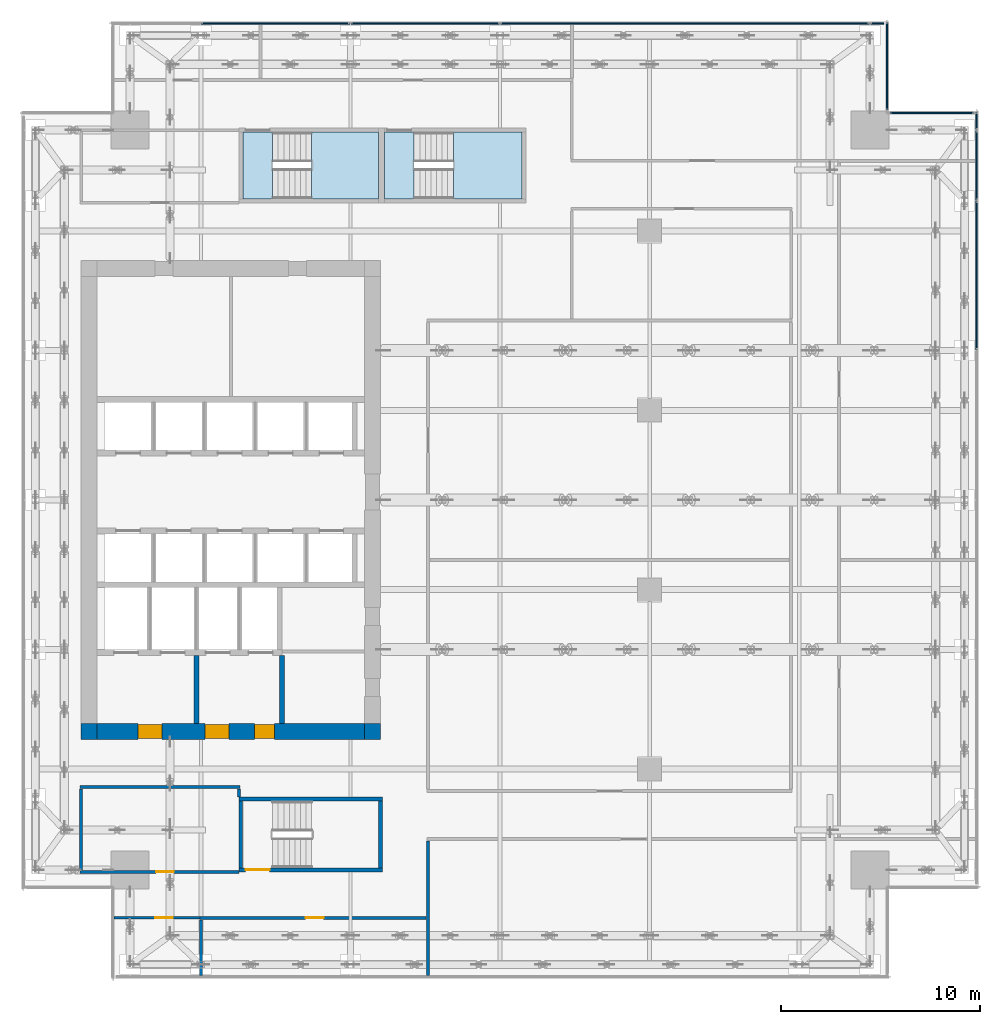
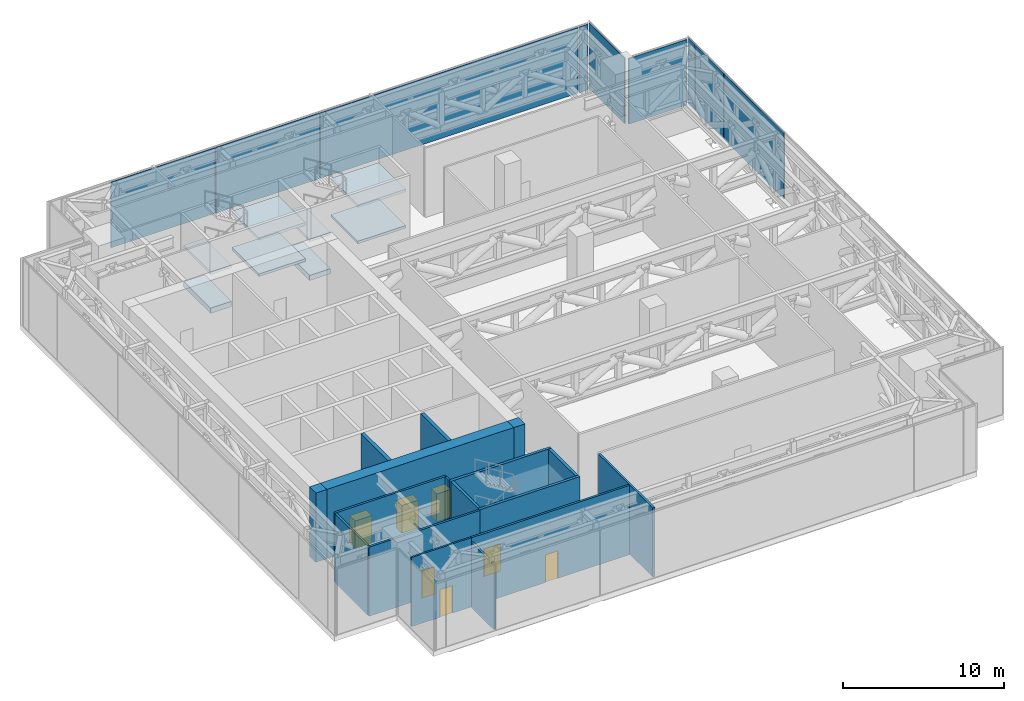
# One storey, part 28 of 36: 17 walls, 9 plates, 8 slabs, 7 doors, 7 openings, 6 elements without a shape of their own.
"""IFC4 building model written with IfcOpenShell, lengths in metres."""

from ifc_helpers import new_model, si_unit, direction, frame, frame_2d, origin, origin_2d, place, context, subcontext, project, spatial, polyline, rectangle, outline, extrude, source, transform, mapped, material, layer, layer_set, type_object, element, fill, aggregate, save


model = new_model("IFC4")

# Units and contexts
model_context = context("Model", 3, precision=1e-05, world=origin(), true_north=direction((0.0, 1.0)))
body_context = subcontext(model_context, "Body", "Model", "MODEL_VIEW")
ifc_project = project(units=[si_unit("LENGTHUNIT", "METRE"), si_unit("AREAUNIT", "SQUARE_METRE"), si_unit("VOLUMEUNIT", "CUBIC_METRE"), si_unit("PLANEANGLEUNIT", "RADIAN"), si_unit("MASSUNIT", "GRAM", prefix="KILO")], contexts=[model_context])

# Site, building, storey
site_placement = place(None, origin())
site = spatial("IfcSite", under=ifc_project, at=site_placement, CompositionType="ELEMENT")
building_placement = place(site_placement, origin())
building = spatial("IfcBuilding", under=site, at=building_placement, Name="Khomas Fold Tower", CompositionType="ELEMENT")
storey_placement = place(building_placement, frame((0.0, 0.0, 216.699951171875)))
storey = spatial("IfcBuildingStorey", under=building, at=storey_placement, Name="L48", CompositionType="ELEMENT", Elevation=216.699951171875)

# Curtain wall, plate
ifc_material_1 = material(Name="Aluminium framed double glazing", Category="aluminium")
curtain_wall_type = type_object("IfcCurtainWallType", Name="SK-Plant louvre wall CW4", PredefinedType="NOTDEFINED", material=ifc_material_1)
curtain_wall_1_placement = place(storey_placement, origin())
curtain_wall_1 = element("IfcCurtainWall", 1, at=curtain_wall_1_placement, inside=storey, type_object=curtain_wall_type, Name="CW4 run L48 03-0", PredefinedType="NOTDEFINED")
ifc_material_2 = material(Name="Aluminium louvre blades", Category="aluminium")
ifc_layer_1 = layer(ifc_material_2, 0.080078125)
ifc_layer_set_1 = layer_set([ifc_layer_1], Name="Aluminium louvre blades")
plate_type = type_object("IfcPlateType", Name="SK-Plant louvre wall louvre panel CW4-P", PredefinedType="CURTAIN_PANEL", material=ifc_layer_set_1)
shared_shape_1 = source(origin(), body_context, "Body", "SweptSolid", [
    extrude(rectangle(XDim=7.43994140625, YDim=0.080078125, at=origin_2d()), origin(), (0.0, 0.0, 1.0), 4.97998046875),
])
plate_1_placement = place(storey_placement, frame((50.89990234375, 38.25, 0.0), z_axis=(0.0, 0.0, 1.0), x_axis=(0.0, 1.0, 0.0)))
plate_1 = element("IfcPlate", 2, at=plate_1_placement, type_object=plate_type, Name="CW4 louvre panel 6", PredefinedType="CURTAIN_PANEL", context=body_context, shape_type="MappedRepresentation", body=[
    mapped(shared_shape_1, transform((0.0, 0.0, 0.0))),
])

# Curtain wall, plates
curtain_wall_2_placement = place(storey_placement, origin())
curtain_wall_2 = element("IfcCurtainWall", 3, at=curtain_wall_2_placement, inside=storey, type_object=curtain_wall_type, Name="CW4 run L48 06-0", PredefinedType="NOTDEFINED")
plate_2_placement = place(storey_placement, frame((23.25, 50.89990234375, 0.0), z_axis=(0.0, 0.0, 1.0), x_axis=(-1.0, 0.0, 0.0)))
plate_2 = element("IfcPlate", 4, at=plate_2_placement, type_object=plate_type, Name="CW4 louvre panel 3", PredefinedType="CURTAIN_PANEL", context=body_context, shape_type="MappedRepresentation", body=[
    mapped(shared_shape_1, transform((0.0, 0.0, 0.0))),
])
plate_3_placement = place(storey_placement, frame((15.75, 50.89990234375, 0.0), z_axis=(0.0, 0.0, 1.0), x_axis=(-1.0, 0.0, 0.0)))
plate_3 = element("IfcPlate", 5, at=plate_3_placement, type_object=plate_type, Name="CW4 louvre panel 4", PredefinedType="CURTAIN_PANEL", context=body_context, shape_type="MappedRepresentation", body=[
    mapped(shared_shape_1, transform((0.0, 0.0, 0.0))),
])
shared_shape_2 = source(origin(), body_context, "Body", "SweptSolid", [
    extrude(rectangle(XDim=0.659912109375, YDim=0.080078125, at=origin_2d()), origin(), (0.0, 0.0, 1.0), 4.97998046875),
])
plate_4_placement = place(storey_placement, frame((45.909912109375, 50.89990234375, 0.0), z_axis=(0.0, 0.0, 1.0), x_axis=(-1.0, 0.0, 0.0)))
plate_4 = element("IfcPlate", 6, at=plate_4_placement, type_object=plate_type, Name="CW4 louvre panel 1", PredefinedType="CURTAIN_PANEL", context=body_context, shape_type="MappedRepresentation", body=[
    mapped(shared_shape_2, transform((0.0, 0.0, 0.0))),
])

# Plate
shared_shape_3 = source(origin(), body_context, "Body", "SweptSolid", [
    extrude(rectangle(XDim=3.489990234375, YDim=0.080078125, at=origin_2d()), origin(), (0.0, 0.0, 1.0), 4.97998046875),
])
plate_5_placement = place(storey_placement, frame((50.89990234375, 43.77490234375, 0.0), z_axis=(0.0, 0.0, 1.0), x_axis=(0.0, 1.0, 0.0)))
plate_5 = element("IfcPlate", 7, at=plate_5_placement, type_object=plate_type, Name="CW4 louvre panel 7", PredefinedType="CURTAIN_PANEL", context=body_context, shape_type="MappedRepresentation", body=[
    mapped(shared_shape_3, transform((0.0, 0.0, 0.0))),
])

shared_shape_4 = source(origin(), body_context, "Body", "SweptSolid", [
    extrude(rectangle(XDim=0.860107421875, YDim=0.080078125, at=origin_2d()), origin(), (0.0, 0.0, 1.0), 4.97998046875),
])
plate_6_placement = place(storey_placement, frame((50.89990234375, 46.010009765625, 0.0), z_axis=(0.0, 0.0, 1.0), x_axis=(0.0, 1.0, 0.0)))
plate_6 = element("IfcPlate", 8, at=plate_6_placement, type_object=plate_type, Name="CW4 louvre panel 8", PredefinedType="CURTAIN_PANEL", context=body_context, shape_type="MappedRepresentation", body=[
    mapped(shared_shape_4, transform((0.0, 0.0, 0.0))),
])

aggregate(curtain_wall_1, [plate_1, plate_5, plate_6])

# Curtain wall, plate
curtain_wall_3_placement = place(storey_placement, origin())
curtain_wall_3 = element("IfcCurtainWall", 9, at=curtain_wall_3_placement, inside=storey, type_object=curtain_wall_type, Name="CW4 corner return L48 04", PredefinedType="NOTDEFINED")
shared_shape_5 = source(origin(), body_context, "Body", "SweptSolid", [
    extrude(rectangle(XDim=4.179931640625, YDim=0.080078125, at=origin_2d()), origin(), (0.0, 0.0, 1.0), 4.97998046875),
])
plate_7_placement = place(storey_placement, frame((48.64990234375, 46.39990234375, 0.0), z_axis=(0.0, 0.0, 1.0), x_axis=(-1.0, 0.0, 0.0)))
plate_7 = element("IfcPlate", 10, at=plate_7_placement, type_object=plate_type, Name="CW4 louvre panel 1", PredefinedType="CURTAIN_PANEL", context=body_context, shape_type="MappedRepresentation", body=[
    mapped(shared_shape_5, transform((0.0, 0.0, 0.0))),
])
aggregate(curtain_wall_3, [plate_7])

curtain_wall_4_placement = place(storey_placement, origin())
curtain_wall_4 = element("IfcCurtainWall", 11, at=curtain_wall_4_placement, inside=storey, type_object=curtain_wall_type, Name="CW4 corner return L48 05", PredefinedType="NOTDEFINED")
shared_shape_6 = source(origin(), body_context, "Body", "SweptSolid", [
    extrude(rectangle(XDim=4.3798828125, YDim=0.080078125, at=origin_2d()), origin(), (0.0, 0.0, 1.0), 4.97998046875),
])
plate_8_placement = place(storey_placement, frame((46.39990234375, 48.75, 0.0), z_axis=(0.0, 0.0, 1.0), x_axis=(0.0, 1.0, 0.0)))
plate_8 = element("IfcPlate", 12, at=plate_8_placement, type_object=plate_type, Name="CW4 louvre panel 1", PredefinedType="CURTAIN_PANEL", context=body_context, shape_type="MappedRepresentation", body=[
    mapped(shared_shape_6, transform((0.0, 0.0, 0.0))),
])
aggregate(curtain_wall_4, [plate_8])

# Plate
shared_shape_7 = source(origin(), body_context, "Body", "SweptSolid", [
    extrude(rectangle(XDim=18.489990234375, YDim=0.080078125, at=origin_2d()), origin(), (0.0, 0.0, 1.0), 4.97998046875),
])
plate_9_placement = place(storey_placement, frame((36.27490234375, 50.89990234375, 0.0), z_axis=(0.0, 0.0, 1.0), x_axis=(-1.0, 0.0, 0.0)))
plate_9 = element("IfcPlate", 13, at=plate_9_placement, type_object=plate_type, Name="CW4 louvre panel 2", PredefinedType="CURTAIN_PANEL", context=body_context, shape_type="MappedRepresentation", body=[
    mapped(shared_shape_7, transform((0.0, 0.0, 0.0))),
])

aggregate(curtain_wall_2, [plate_4, plate_9, plate_2, plate_3])

# Stair, slabs
ifc_material_3 = material(Name="Concrete C40/50", Category="concrete")
stair_type_1 = type_object("IfcStairType", Name="Stair ST1", PredefinedType="HALF_TURN_STAIR", material=ifc_material_3)
stair_1_placement = place(storey_placement, origin())
stair_1 = element("IfcStair", 14, at=stair_1_placement, inside=storey, type_object=stair_type_1, Name="L48 ST1", PredefinedType="HALF_TURN_STAIR")
ifc_material_4 = material(Name="Concrete C40/50", Category="concrete")
ifc_layer_2 = layer(ifc_material_4, 0.199951171875)
ifc_layer_set_2 = layer_set([ifc_layer_2], Name="Concrete C40/50")
slab_type_1 = type_object("IfcSlabType", Name="Stair landing 200", PredefinedType="LANDING", material=ifc_layer_set_2)
shared_shape_8 = source(origin(), body_context, "Body", "SweptSolid", [
    extrude(outline(polyline([(14.10009765625, 42.10009765625), (15.60009765625, 42.10009765625), (15.60009765625, 45.449951171875), (14.10009765625, 45.449951171875), (14.10009765625, 42.10009765625)])), origin(), (0.0, 0.0, 1.0), 0.199951171875),
])
slab_1_placement = place(storey_placement, frame((0.0, 0.0, 2.550048828125)))
slab_1 = element("IfcSlab", 15, at=slab_1_placement, type_object=slab_type_1, Name="ST1 landing 2", PredefinedType="LANDING", context=body_context, shape_type="MappedRepresentation", body=[
    mapped(shared_shape_8, transform((0.0, 0.0, 0.0))),
])
shared_shape_9 = source(origin(), body_context, "Body", "SweptSolid", [
    extrude(outline(polyline([(17.56005859375, 42.10009765625), (20.89990234375, 42.10009765625), (20.89990234375, 45.449951171875), (17.56005859375, 45.449951171875), (17.56005859375, 42.10009765625)])), origin(), (0.0, 0.0, 1.0), 0.199951171875),
])
slab_2_placement = place(storey_placement, frame((0.0, 0.0, 1.175048828125)))
slab_2 = element("IfcSlab", 16, at=slab_2_placement, type_object=slab_type_1, Name="ST1 landing 1", PredefinedType="LANDING", context=body_context, shape_type="MappedRepresentation", body=[
    mapped(shared_shape_9, transform((0.0, 0.0, 0.0))),
])
slab_3_placement = place(storey_placement, frame((0.0, 0.0, 3.925048828125)))
slab_3 = element("IfcSlab", 17, at=slab_3_placement, type_object=slab_type_1, Name="ST1 landing 3", PredefinedType="LANDING", context=body_context, shape_type="MappedRepresentation", body=[
    mapped(shared_shape_9, transform((0.0, 0.0, 0.0))),
])
aggregate(stair_1, [slab_2, slab_1, slab_3])

# Slab
ifc_material_5 = material(Name="Concrete C40/50", Category="concrete")
ifc_layer_3 = layer(ifc_material_5, 0.39990234375)
ifc_layer_set_3 = layer_set([ifc_layer_3], Name="Concrete C40/50")
slab_type_2 = type_object("IfcSlabType", Name="Stair floor landing 400", PredefinedType="LANDING", material=ifc_layer_set_3)
shared_shape_10 = source(origin(), body_context, "Body", "SweptSolid", [
    extrude(outline(polyline([(14.10009765625, 45.449951171875), (15.60009765625, 45.449951171875), (15.60009765625, 42.10009765625), (14.10009765625, 42.10009765625), (14.10009765625, 45.449951171875)])), origin(), (0.0, 0.0, 1.0), 0.39990234375),
])
slab_4_placement = place(storey_placement, frame((0.0, 0.0, -0.39990234375)))
element("IfcSlab", 18, at=slab_4_placement, inside=storey, type_object=slab_type_2, Name="ST1 floor landing", PredefinedType="LANDING", context=body_context, shape_type="MappedRepresentation", body=[
    mapped(shared_shape_10, transform((0.0, 0.0, 0.0))),
])

# Stair, slabs
ifc_material_6 = material(Name="Concrete C40/50", Category="concrete")
stair_type_2 = type_object("IfcStairType", Name="Stair ST3", PredefinedType="HALF_TURN_STAIR", material=ifc_material_6)
stair_2_placement = place(storey_placement, origin())
stair_2 = element("IfcStair", 19, at=stair_2_placement, inside=storey, type_object=stair_type_2, Name="L48 ST3", PredefinedType="HALF_TURN_STAIR")
shared_shape_11 = source(origin(), body_context, "Body", "SweptSolid", [
    extrude(outline(polyline([(21.199951171875, 42.10009765625), (22.699951171875, 42.10009765625), (22.699951171875, 45.449951171875), (21.199951171875, 45.449951171875), (21.199951171875, 42.10009765625)])), origin(), (0.0, 0.0, 1.0), 0.199951171875),
])
slab_5_placement = place(storey_placement, frame((0.0, 0.0, 2.550048828125)))
slab_5 = element("IfcSlab", 20, at=slab_5_placement, type_object=slab_type_1, Name="ST3 landing 2", PredefinedType="LANDING", context=body_context, shape_type="MappedRepresentation", body=[
    mapped(shared_shape_11, transform((0.0, 0.0, 0.0))),
])
shared_shape_12 = source(origin(), body_context, "Body", "SweptSolid", [
    extrude(outline(polyline([(24.659912109375, 42.10009765625), (28.10009765625, 42.10009765625), (28.10009765625, 45.449951171875), (24.659912109375, 45.449951171875), (24.659912109375, 42.10009765625)])), origin(), (0.0, 0.0, 1.0), 0.199951171875),
])
slab_6_placement = place(storey_placement, frame((0.0, 0.0, 1.175048828125)))
slab_6 = element("IfcSlab", 21, at=slab_6_placement, type_object=slab_type_1, Name="ST3 landing 1", PredefinedType="LANDING", context=body_context, shape_type="MappedRepresentation", body=[
    mapped(shared_shape_12, transform((0.0, 0.0, 0.0))),
])
slab_7_placement = place(storey_placement, frame((0.0, 0.0, 3.925048828125)))
slab_7 = element("IfcSlab", 22, at=slab_7_placement, type_object=slab_type_1, Name="ST3 landing 3", PredefinedType="LANDING", context=body_context, shape_type="MappedRepresentation", body=[
    mapped(shared_shape_12, transform((0.0, 0.0, 0.0))),
])
aggregate(stair_2, [slab_6, slab_5, slab_7])

# Slab
shared_shape_13 = source(origin(), body_context, "Body", "SweptSolid", [
    extrude(outline(polyline([(21.199951171875, 45.449951171875), (22.699951171875, 45.449951171875), (22.699951171875, 42.10009765625), (21.199951171875, 42.10009765625), (21.199951171875, 45.449951171875)])), origin(), (0.0, 0.0, 1.0), 0.39990234375),
])
slab_8_placement = place(storey_placement, frame((0.0, 0.0, -0.39990234375)))
element("IfcSlab", 23, at=slab_8_placement, inside=storey, type_object=slab_type_2, Name="ST3 floor landing", PredefinedType="LANDING", context=body_context, shape_type="MappedRepresentation", body=[
    mapped(shared_shape_13, transform((0.0, 0.0, 0.0))),
])

# Wall, openings, doors
ifc_material_7 = material(Name="Concrete C60/75", Category="concrete")
ifc_layer_4 = layer(ifc_material_7, 0.800048828125)
ifc_layer_set_4 = layer_set([ifc_layer_4], Name="Concrete C60/75")
wall_type_1 = type_object("IfcWallType", Name="Core wall 800", PredefinedType="SHEAR", material=ifc_layer_set_4)
shared_shape_14 = source(origin(), body_context, "Body", "SweptSolid", [
    extrude(rectangle(XDim=13.39990234375, YDim=0.800048828125, at=frame_2d((6.699951171875, 0.0))), origin(), (0.0, 0.0, 1.0), 5.25),
])
wall_1_placement = place(storey_placement, frame((6.800048828125, 15.39990234375, 0.0), z_axis=(0.0, 0.0, 1.0), x_axis=(1.0, 0.0, 0.0)))
wall_1 = element("IfcWall", 24, at=wall_1_placement, inside=storey, type_object=wall_type_1, Name="Core wall CW-U-S-L35", PredefinedType="SHEAR", context=body_context, shape_type="MappedRepresentation", body=[
    mapped(shared_shape_14, transform((0.0, 0.0, 0.0))),
])
shared_shape_15 = source(origin(), body_context, "Body", "SweptSolid", [
    extrude(rectangle(XDim=1.199951171875, YDim=2.10009765625, at=frame_2d((0.60009765625, 1.050048828125))), frame((0.0, 0.409912109375, 0.0), z_axis=(0.0, -1.0, 0.0), x_axis=(1.0, 0.0, 0.0)), (0.0, 0.0, 1.0), 0.820068359375),
])
opening_1_placement = place(wall_1_placement, frame((5.39990234375, 0.0, 0.0)))
opening_1 = element("IfcOpeningElement", 25, at=opening_1_placement, cuts=wall_1, Name="Opening 0009", PredefinedType="OPENING", context=body_context, shape_type="MappedRepresentation", body=[
    mapped(shared_shape_15, transform((0.0, 0.0, 0.0))),
])
opening_2_placement = place(wall_1_placement, frame((2.050048828125, 0.0, 0.0)))
opening_2 = element("IfcOpeningElement", 26, at=opening_2_placement, cuts=wall_1, Name="Opening 0009", PredefinedType="OPENING", context=body_context, shape_type="MappedRepresentation", body=[
    mapped(shared_shape_15, transform((0.0, 0.0, 0.0))),
])
shared_shape_16 = source(origin(), body_context, "Body", "SweptSolid", [
    extrude(rectangle(XDim=1.0, YDim=2.10009765625, at=frame_2d((0.5, 1.050048828125))), frame((0.0, 0.409912109375, 0.0), z_axis=(0.0, -1.0, 0.0), x_axis=(1.0, 0.0, 0.0)), (0.0, 0.0, 1.0), 0.820068359375),
])
opening_3_placement = place(wall_1_placement, frame((7.89990234375, 0.0, 0.0)))
opening_3 = element("IfcOpeningElement", 27, at=opening_3_placement, cuts=wall_1, Name="Opening 0010", PredefinedType="OPENING", context=body_context, shape_type="MappedRepresentation", body=[
    mapped(shared_shape_16, transform((0.0, 0.0, 0.0))),
])
ifc_material_8 = material(Name="Steel door leaf", Category="steel")
door_type_1 = type_object("IfcDoorType", Name="Lobby door 1200x2100 right-hand", OperationType="SINGLE_SWING_RIGHT", PredefinedType="DOOR", material=ifc_material_8)
shared_shape_17 = source(origin(), body_context, "Body", "SweptSolid", [
    extrude(rectangle(XDim=1.199951171875, YDim=2.10009765625, at=frame_2d((0.60009765625, 1.050048828125))), frame((0.0, 0.35009765625, 0.0), z_axis=(0.0, -1.0, 0.0), x_axis=(1.0, 0.0, 0.0)), (0.0, 0.0, 1.0), 0.699951171875),
])
door_1_placement = place(opening_1_placement, origin())
door_1 = element("IfcDoor", 28, at=door_1_placement, inside=storey, type_object=door_type_1, Name="Lobby door", OperationType="SINGLE_SWING_RIGHT", OverallHeight=2.10009765625, OverallWidth=1.199951171875, PredefinedType="DOOR", context=body_context, shape_type="MappedRepresentation", body=[
    mapped(shared_shape_17, transform((0.0, 0.0, 0.0))),
])
fill(opening_1, door_1)
door_2_placement = place(opening_2_placement, origin())
door_2 = element("IfcDoor", 29, at=door_2_placement, inside=storey, type_object=door_type_1, Name="Lobby door", OperationType="SINGLE_SWING_RIGHT", OverallHeight=2.10009765625, OverallWidth=1.199951171875, PredefinedType="DOOR", context=body_context, shape_type="MappedRepresentation", body=[
    mapped(shared_shape_17, transform((0.0, 0.0, 0.0))),
])
fill(opening_2, door_2)
ifc_material_9 = material(Name="Steel door leaf", Category="steel")
door_type_2 = type_object("IfcDoorType", Name="Stair door 1000x2100 right-hand", OperationType="SINGLE_SWING_RIGHT", PredefinedType="DOOR", material=ifc_material_9)
shared_shape_18 = source(origin(), body_context, "Body", "SweptSolid", [
    extrude(rectangle(XDim=1.0, YDim=2.10009765625, at=frame_2d((0.5, 1.050048828125))), frame((0.0, 0.35009765625, 0.0), z_axis=(0.0, -1.0, 0.0), x_axis=(1.0, 0.0, 0.0)), (0.0, 0.0, 1.0), 0.699951171875),
])
door_3_placement = place(opening_3_placement, origin())
door_3 = element("IfcDoor", 30, at=door_3_placement, inside=storey, type_object=door_type_2, Name="Stair door", OperationType="SINGLE_SWING_RIGHT", OverallHeight=2.10009765625, OverallWidth=1.0, PredefinedType="DOOR", context=body_context, shape_type="MappedRepresentation", body=[
    mapped(shared_shape_18, transform((0.0, 0.0, 0.0))),
])
fill(opening_3, door_3)

# Walls
ifc_material_10 = material(Name="Concrete C60/75", Category="concrete")
ifc_layer_5 = layer(ifc_material_10, 0.800048828125)
ifc_layer_set_5 = layer_set([ifc_layer_5], Name="Concrete C60/75")
wall_type_2 = type_object("IfcWallType", Name="Core corner wall 800", PredefinedType="SHEAR", material=ifc_layer_set_5)
shared_shape_19 = source(origin(), body_context, "Body", "SweptSolid", [
    extrude(rectangle(XDim=0.800048828125, YDim=0.800048828125, at=frame_2d((0.39990234375, 0.0))), origin(), (0.0, 0.0, 1.0), 5.25),
])
for number, where, z_axis, x_axis, name in (
    (31, (20.199951171875, 15.39990234375, 0.0), (0.0, 0.0, 1.0), (1.0, 0.0, 0.0), "Core wall CW-U-SE-L35"),
    (32, (6.0, 15.39990234375, 0.0), (0.0, 0.0, 1.0), (1.0, 0.0, 0.0), "Core wall CW-U-SW-L35"),
):
    element("IfcWall", number, at=place(storey_placement, frame(where, z_axis=z_axis, x_axis=x_axis)), inside=storey, type_object=wall_type_2, Name=name, PredefinedType="SHEAR", context=body_context, shape_type="MappedRepresentation", body=[
        mapped(shared_shape_19, transform((0.0, 0.0, 0.0))),
    ])
ifc_material_11 = material(Name="Concrete C50/60", Category="concrete")
ifc_layer_6 = layer(ifc_material_11, 0.199951171875)
ifc_layer_set_6 = layer_set([ifc_layer_6], Name="Concrete C50/60")
wall_type_3 = type_object("IfcWallType", Name="Stair wall 200", PredefinedType="SHEAR", material=ifc_layer_set_6)
shared_shape_20 = source(origin(), body_context, "Body", "SweptSolid", [
    extrude(rectangle(XDim=7.2001953125, YDim=0.199951171875, at=frame_2d((3.60009765625, 0.0))), origin(), (0.0, 0.0, 1.0), 5.25),
])
wall_2_placement = place(storey_placement, frame((13.89990234375, 12.0, 0.0), z_axis=(0.0, 0.0, 1.0), x_axis=(1.0, 0.0, 0.0)))
element("IfcWall", 33, at=wall_2_placement, inside=storey, type_object=wall_type_3, Name="Stair wall SW-ST2-NH", PredefinedType="SHEAR", context=body_context, shape_type="MappedRepresentation", body=[
    mapped(shared_shape_20, transform((0.0, 0.0, 0.0))),
])

# Wall, opening, door
wall_3_placement = place(storey_placement, frame((13.89990234375, 8.449951171875, 0.0), z_axis=(0.0, 0.0, 1.0), x_axis=(1.0, 0.0, 0.0)))
wall_3 = element("IfcWall", 34, at=wall_3_placement, inside=storey, type_object=wall_type_3, Name="Stair wall SW-ST2-S", PredefinedType="SHEAR", context=body_context, shape_type="MappedRepresentation", body=[
    mapped(shared_shape_20, transform((0.0, 0.0, 0.0))),
])
shared_shape_21 = source(origin(), body_context, "Body", "SweptSolid", [
    extrude(rectangle(XDim=1.199951171875, YDim=2.10009765625, at=frame_2d((0.60009765625, 1.050048828125))), frame((0.0, 0.10986328125, 0.0), z_axis=(0.0, -1.0, 0.0), x_axis=(1.0, 0.0, 0.0)), (0.0, 0.0, 1.0), 0.219970703125),
])
opening_4_placement = place(wall_3_placement, frame((0.35009765625, 0.0, 0.0)))
opening_4 = element("IfcOpeningElement", 35, at=opening_4_placement, cuts=wall_3, Name="Opening SD-ST2", PredefinedType="OPENING", context=body_context, shape_type="MappedRepresentation", body=[
    mapped(shared_shape_21, transform((0.0, 0.0, 0.0))),
])
ifc_material_12 = material(Name="Steel door leaf", Category="steel")
door_type_3 = type_object("IfcDoorType", Name="Stair door 1200x2100 right-hand", OperationType="SINGLE_SWING_RIGHT", PredefinedType="DOOR", material=ifc_material_12)
shared_shape_22 = source(origin(), body_context, "Body", "SweptSolid", [
    extrude(rectangle(XDim=1.199951171875, YDim=2.10009765625, at=frame_2d((0.60009765625, 1.050048828125))), frame((0.0, 0.02490234375, 0.0), z_axis=(0.0, -1.0, 0.0), x_axis=(1.0, 0.0, 0.0)), (0.0, 0.0, 1.0), 0.050048828125),
])
door_4_placement = place(opening_4_placement, origin())
door_4 = element("IfcDoor", 36, at=door_4_placement, inside=storey, type_object=door_type_3, Name="Stair door", OperationType="SINGLE_SWING_RIGHT", OverallHeight=2.10009765625, OverallWidth=1.199951171875, PredefinedType="DOOR", context=body_context, shape_type="MappedRepresentation", body=[
    mapped(shared_shape_22, transform((0.0, 0.0, 0.0))),
])
fill(opening_4, door_4)

# Walls
shared_shape_23 = source(origin(), body_context, "Body", "SweptSolid", [
    extrude(rectangle(XDim=3.349853515625, YDim=0.199951171875, at=frame_2d((1.6748046875, 0.0))), origin(), (0.0, 0.0, 1.0), 5.25),
])
for number, where, z_axis, x_axis, name in (
    (37, (21.0, 8.550048828125, 0.0), (0.0, 0.0, 1.0), (0.0, 1.0, 0.0), "Stair wall SW-ST2-E"),
    (38, (14.0, 8.550048828125, 0.0), (0.0, 0.0, 1.0), (0.0, 1.0, 0.0), "Stair wall SW-ST2-W"),
):
    element("IfcWall", number, at=place(storey_placement, frame(where, z_axis=z_axis, x_axis=x_axis)), inside=storey, type_object=wall_type_3, Name=name, PredefinedType="SHEAR", context=body_context, shape_type="MappedRepresentation", body=[
        mapped(shared_shape_23, transform((0.0, 0.0, 0.0))),
    ])
ifc_material_13 = material(Name="Concrete C50/60", Category="concrete")
ifc_layer_7 = layer(ifc_material_13, 0.25)
ifc_layer_set_7 = layer_set([ifc_layer_7], Name="Concrete C50/60")
wall_type_4 = type_object("IfcWallType", Name="Lobby wall 250", PredefinedType="STANDARD", material=ifc_layer_set_7)
shared_shape_24 = source(origin(), body_context, "Body", "SweptSolid", [
    extrude(rectangle(XDim=3.39990234375, YDim=0.25, at=frame_2d((1.699951171875, 0.0))), origin(), (0.0, 0.0, 1.0), 5.25),
])
for number, where, z_axis, x_axis, name in (
    (39, (16.074951171875, 15.800048828125, 0.0), (0.0, 0.0, 1.0), (0.0, 1.0, 0.0), "Core wall SW-FS-LOB-E"),
    (40, (11.77490234375, 15.800048828125, 0.0), (0.0, 0.0, 1.0), (0.0, 1.0, 0.0), "Core wall SW-FS-SEP"),
):
    element("IfcWall", number, at=place(storey_placement, frame(where, z_axis=z_axis, x_axis=x_axis)), inside=storey, type_object=wall_type_4, Name=name, PredefinedType="STANDARD", context=body_context, shape_type="MappedRepresentation", body=[
        mapped(shared_shape_24, transform((0.0, 0.0, 0.0))),
    ])
ifc_material_14 = material(Name="Plasterboard fire partition")
ifc_layer_8 = layer(ifc_material_14, 0.14990234375)
ifc_layer_set_8 = layer_set([ifc_layer_8], Name="Plasterboard fire partition")
wall_type_5 = type_object("IfcWallType", Name="Plant room wall PW3 150", PredefinedType="PARTITIONING", material=ifc_layer_set_8)
shared_shape_25 = source(origin(), body_context, "Body", "SweptSolid", [
    extrude(rectangle(XDim=2.800048828125, YDim=0.14990234375, at=frame_2d((1.39990234375, 0.0))), origin(), (0.0, 0.0, 1.0), 4.920166015625),
])
wall_4_placement = place(storey_placement, frame((12.0, 3.14990234375, 0.0), z_axis=(0.0, 0.0, 1.0), x_axis=(0.0, 1.0, 0.0)))
element("IfcWall", 41, at=wall_4_placement, inside=storey, type_object=wall_type_5, Name="Plant room wall", PredefinedType="PARTITIONING", context=body_context, shape_type="MappedRepresentation", body=[
    mapped(shared_shape_25, transform((0.0, 0.0, 0.0))),
])
shared_shape_26 = source(origin(), body_context, "Body", "SweptSolid", [
    extrude(rectangle(XDim=6.75, YDim=0.14990234375, at=frame_2d((3.375, 0.0))), origin(), (0.0, 0.0, 1.0), 5.25),
])
wall_5_placement = place(storey_placement, frame((23.39990234375, 3.14990234375, 0.0), z_axis=(0.0, 0.0, 1.0), x_axis=(0.0, 1.0, 0.0)))
element("IfcWall", 42, at=wall_5_placement, inside=storey, type_object=wall_type_5, Name="Plant room wall", PredefinedType="PARTITIONING", context=body_context, shape_type="MappedRepresentation", body=[
    mapped(shared_shape_26, transform((0.0, 0.0, 0.0))),
])

# Wall, opening, door
ifc_material_15 = material(Name="Plasterboard partition")
ifc_layer_9 = layer(ifc_material_15, 0.125)
ifc_layer_set_9 = layer_set([ifc_layer_9], Name="Plasterboard partition")
wall_type_6 = type_object("IfcWallType", Name="Partition PW2 125", PredefinedType="PARTITIONING", material=ifc_layer_set_9)
shared_shape_27 = source(origin(), body_context, "Body", "SweptSolid", [
    extrude(rectangle(XDim=4.300048828125, YDim=0.125, at=frame_2d((2.14990234375, 0.0))), origin(), (0.0, 0.0, 1.0), 5.25),
])
wall_6_placement = place(storey_placement, frame((7.64990234375, 6.050048828125, 0.0), z_axis=(0.0, 0.0, 1.0), x_axis=(1.0, 0.0, 0.0)))
wall_6 = element("IfcWall", 43, at=wall_6_placement, inside=storey, type_object=wall_type_6, Name="Partition", PredefinedType="PARTITIONING", context=body_context, shape_type="MappedRepresentation", body=[
    mapped(shared_shape_27, transform((0.0, 0.0, 0.0))),
])
shared_shape_28 = source(origin(), body_context, "Body", "SweptSolid", [
    extrude(rectangle(XDim=0.89990234375, YDim=2.10009765625, at=frame_2d((0.449951171875, 1.050048828125))), frame((0.0, 0.072509765625, 0.0), z_axis=(0.0, -1.0, 0.0), x_axis=(1.0, 0.0, 0.0)), (0.0, 0.0, 1.0), 0.14501953125),
])
opening_5_placement = place(wall_6_placement, frame((2.050048828125, 0.0, 0.0)))
opening_5 = element("IfcOpeningElement", 44, at=opening_5_placement, cuts=wall_6, Name="Opening 0008", PredefinedType="OPENING", context=body_context, shape_type="MappedRepresentation", body=[
    mapped(shared_shape_28, transform((0.0, 0.0, 0.0))),
])
ifc_material_16 = material(Name="Timber door leaf", Category="wood")
door_type_4 = type_object("IfcDoorType", Name="Door 900x2100 right-hand", OperationType="SINGLE_SWING_RIGHT", PredefinedType="DOOR", material=ifc_material_16)
shared_shape_29 = source(origin(), body_context, "Body", "SweptSolid", [
    extrude(rectangle(XDim=0.89990234375, YDim=2.10009765625, at=frame_2d((0.449951171875, 1.050048828125))), frame((0.0, 0.02490234375, 0.0), z_axis=(0.0, -1.0, 0.0), x_axis=(1.0, 0.0, 0.0)), (0.0, 0.0, 1.0), 0.050048828125),
])
door_5_placement = place(opening_5_placement, origin())
door_5 = element("IfcDoor", 45, at=door_5_placement, inside=storey, type_object=door_type_4, Name="Door", OperationType="SINGLE_SWING_RIGHT", OverallHeight=2.10009765625, OverallWidth=0.89990234375, PredefinedType="DOOR", context=body_context, shape_type="MappedRepresentation", body=[
    mapped(shared_shape_29, transform((0.0, 0.0, 0.0))),
])
fill(opening_5, door_5)

shared_shape_30 = source(origin(), body_context, "Body", "SweptSolid", [
    extrude(rectangle(XDim=11.35009765625, YDim=0.14990234375, at=frame_2d((5.675048828125, 0.0))), origin(), (0.0, 0.0, 1.0), 5.25),
])
wall_7_placement = place(storey_placement, frame((11.949951171875, 6.050048828125, 0.0), z_axis=(0.0, 0.0, 1.0), x_axis=(1.0, 0.0, 0.0)))
wall_7 = element("IfcWall", 46, at=wall_7_placement, inside=storey, type_object=wall_type_5, Name="Plant room wall", PredefinedType="PARTITIONING", context=body_context, shape_type="MappedRepresentation", body=[
    mapped(shared_shape_30, transform((0.0, 0.0, 0.0))),
])
shared_shape_31 = source(origin(), body_context, "Body", "SweptSolid", [
    extrude(rectangle(XDim=0.89990234375, YDim=2.10009765625, at=frame_2d((0.449951171875, 1.050048828125))), frame((0.0, 0.0849609375, 0.0), z_axis=(0.0, -1.0, 0.0), x_axis=(1.0, 0.0, 0.0)), (0.0, 0.0, 1.0), 0.169921875),
])
opening_6_placement = place(wall_7_placement, frame((5.300048828125, 0.0, 0.0)))
opening_6 = element("IfcOpeningElement", 47, at=opening_6_placement, cuts=wall_7, Name="Opening 0003", PredefinedType="OPENING", context=body_context, shape_type="MappedRepresentation", body=[
    mapped(shared_shape_31, transform((0.0, 0.0, 0.0))),
])
ifc_material_17 = material(Name="Steel door leaf", Category="steel")
door_type_5 = type_object("IfcDoorType", Name="Plant room door 900x2100 right-hand", OperationType="SINGLE_SWING_RIGHT", PredefinedType="DOOR", material=ifc_material_17)
door_6_placement = place(opening_6_placement, origin())
door_6 = element("IfcDoor", 48, at=door_6_placement, inside=storey, type_object=door_type_5, Name="Plant room door", OperationType="SINGLE_SWING_RIGHT", OverallHeight=2.10009765625, OverallWidth=0.89990234375, PredefinedType="DOOR", context=body_context, shape_type="MappedRepresentation", body=[
    mapped(shared_shape_29, transform((0.0, 0.0, 0.0))),
])
fill(opening_6, door_6)

shared_shape_32 = source(origin(), body_context, "Body", "SweptSolid", [
    extrude(rectangle(XDim=7.949951171875, YDim=0.14990234375, at=frame_2d((3.97509765625, 0.0))), origin(), (0.0, 0.0, 1.0), 5.25),
])
wall_8_placement = place(storey_placement, frame((5.949951171875, 8.35009765625, 0.0), z_axis=(0.0, 0.0, 1.0), x_axis=(1.0, 0.0, 0.0)))
wall_8 = element("IfcWall", 49, at=wall_8_placement, inside=storey, type_object=wall_type_5, Name="Plant room wall", PredefinedType="PARTITIONING", context=body_context, shape_type="MappedRepresentation", body=[
    mapped(shared_shape_32, transform((0.0, 0.0, 0.0))),
])
opening_7_placement = place(wall_8_placement, frame((3.800048828125, 0.0, 0.0)))
opening_7 = element("IfcOpeningElement", 50, at=opening_7_placement, cuts=wall_8, Name="Opening 0002", PredefinedType="OPENING", context=body_context, shape_type="MappedRepresentation", body=[
    mapped(shared_shape_31, transform((0.0, 0.0, 0.0))),
])
ifc_material_18 = material(Name="Steel door leaf", Category="steel")
door_type_6 = type_object("IfcDoorType", Name="Plant room door 900x2100 left-hand", OperationType="SINGLE_SWING_LEFT", PredefinedType="DOOR", material=ifc_material_18)
door_7_placement = place(opening_7_placement, origin())
door_7 = element("IfcDoor", 51, at=door_7_placement, inside=storey, type_object=door_type_6, Name="Plant room door", OperationType="SINGLE_SWING_LEFT", OverallHeight=2.10009765625, OverallWidth=0.89990234375, PredefinedType="DOOR", context=body_context, shape_type="MappedRepresentation", body=[
    mapped(shared_shape_29, transform((0.0, 0.0, 0.0))),
])
fill(opening_7, door_7)

# Walls
shared_shape_33 = source(origin(), body_context, "Body", "SweptSolid", [
    extrude(rectangle(XDim=4.050048828125, YDim=0.14990234375, at=frame_2d((2.02490234375, 0.0))), origin(), (0.0, 0.0, 1.0), 5.25),
])
wall_9_placement = place(storey_placement, frame((6.0, 8.449951171875, 0.0), z_axis=(0.0, 0.0, 1.0), x_axis=(0.0, 1.0, 0.0)))
element("IfcWall", 52, at=wall_9_placement, inside=storey, type_object=wall_type_5, Name="Plant room wall", PredefinedType="PARTITIONING", context=body_context, shape_type="MappedRepresentation", body=[
    mapped(shared_shape_33, transform((0.0, 0.0, 0.0))),
])
shared_shape_34 = source(origin(), body_context, "Body", "SweptSolid", [
    extrude(rectangle(XDim=0.39990234375, YDim=0.14990234375, at=frame_2d((0.199951171875, 0.0))), origin(), (0.0, 0.0, 1.0), 5.25),
])
wall_10_placement = place(storey_placement, frame((13.89990234375, 12.10009765625, 0.0), z_axis=(0.0, 0.0, 1.0), x_axis=(0.0, 1.0, 0.0)))
element("IfcWall", 53, at=wall_10_placement, inside=storey, type_object=wall_type_5, Name="Plant room wall", PredefinedType="PARTITIONING", context=body_context, shape_type="MappedRepresentation", body=[
    mapped(shared_shape_34, transform((0.0, 0.0, 0.0))),
])
shared_shape_35 = source(origin(), body_context, "Body", "SweptSolid", [
    extrude(rectangle(XDim=8.0, YDim=0.14990234375, at=frame_2d((4.0, 0.0))), origin(), (0.0, 0.0, 1.0), 5.25),
])
wall_11_placement = place(storey_placement, frame((5.949951171875, 12.60009765625, 0.0), z_axis=(0.0, 0.0, 1.0), x_axis=(1.0, 0.0, 0.0)))
element("IfcWall", 54, at=wall_11_placement, inside=storey, type_object=wall_type_5, Name="Plant room wall", PredefinedType="PARTITIONING", context=body_context, shape_type="MappedRepresentation", body=[
    mapped(shared_shape_35, transform((0.0, 0.0, 0.0))),
])

save(model, "model.ifc")
